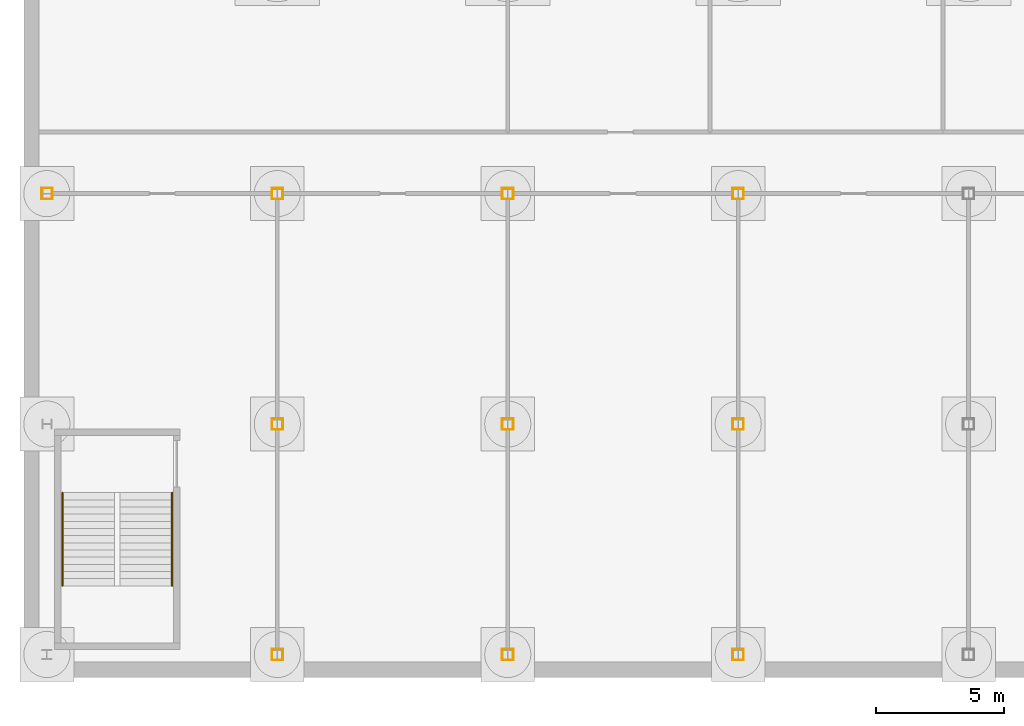
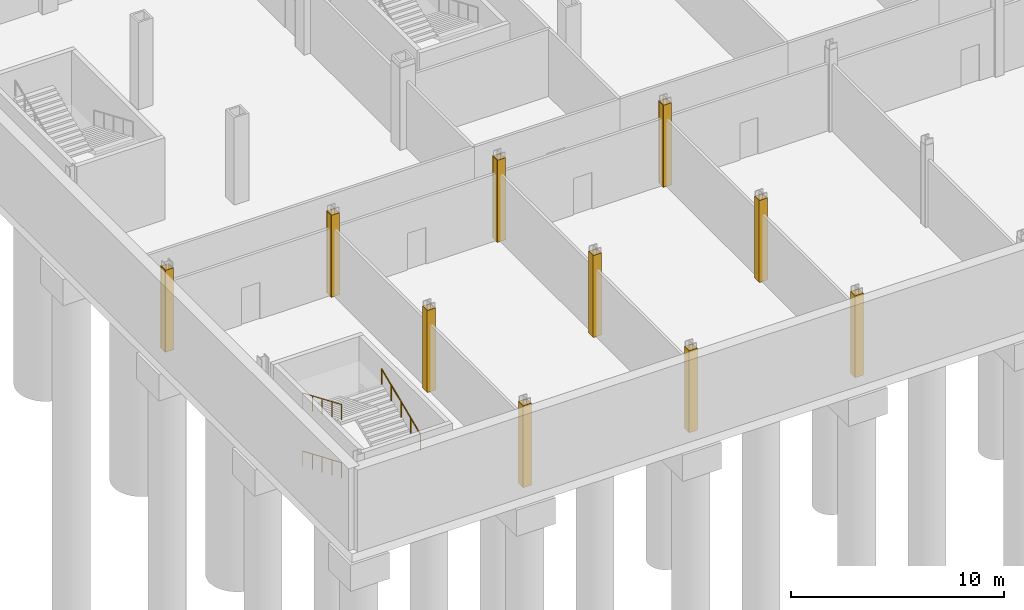
# One storey, part 16 of 28: 40 coverings, 3 railings.
"""IFC4 building model written with IfcOpenShell, lengths in metres."""

from ifc_helpers import new_model, si_unit, direction, frame, origin, origin_2d, place, context, subcontext, project, spatial, rectangle, circle, extrude, material, layer, layer_set, type_object, element, save


model = new_model("IFC4")

# Units and contexts
model_context = context("Model", 3, precision=1e-05, world=origin(), true_north=direction((0.0, 1.0)))
body_context = subcontext(model_context, "Body", "Model", "MODEL_VIEW")
ifc_project = project(units=[si_unit("LENGTHUNIT", "METRE"), si_unit("AREAUNIT", "SQUARE_METRE"), si_unit("VOLUMEUNIT", "CUBIC_METRE"), si_unit("PLANEANGLEUNIT", "RADIAN"), si_unit("MASSUNIT", "GRAM", prefix="KILO")], contexts=[model_context])

# Site, building, storey
site_placement = place(None, origin())
site = spatial("IfcSite", under=ifc_project, at=site_placement, CompositionType="ELEMENT")
building_placement = place(site_placement, origin())
building = spatial("IfcBuilding", under=site, at=building_placement, Name="Loomwork Tower", CompositionType="ELEMENT")
storey_placement = place(building_placement, frame((0.0, 0.0, -10.5)))
storey = spatial("IfcBuildingStorey", under=building, at=storey_placement, Name="B2", CompositionType="ELEMENT", Elevation=-10.5)

# Coverings
ifc_material_1 = material(Name="Two-hour fire-rated gypsum board casing")
ifc_layer = layer(ifc_material_1, 0.02490234375)
ifc_layer_set = layer_set([ifc_layer], Name="Column fire casing 25")
covering_type = type_object("IfcCoveringType", Name="Column fire casing 25", PredefinedType="CLADDING", material=ifc_layer_set)
for number, where, z_axis, x_axis, name in (
    (1, (-9.0, -8.786865234375, 0.0), (0.0, 0.0, 1.0), (1.0, 0.0, 0.0), "Column casing -9 -9 B2"),
    (2, (-9.0, -9.213134765625, 0.0), (0.0, 0.0, 1.0), (1.0, 0.0, 0.0), "Column casing -9 -9 B2"),
):
    element("IfcCovering", number, at=place(storey_placement, frame(where, z_axis=z_axis, x_axis=x_axis)), inside=storey, type_object=covering_type, Name=name, PredefinedType="CLADDING", context=body_context, shape_type="SweptSolid", body=[
        extrude(rectangle(XDim=0.44873046875, YDim=0.02490234375, at=origin_2d()), origin(), (0.0, 0.0, 1.0), 4.699951171875),
    ])
for number, where, z_axis, x_axis, name in (
    (3, (-8.7880859375, -9.0, 0.0), (0.0, 0.0, 1.0), (1.0, 0.0, 0.0), "Column casing -9 -9 B2"),
    (4, (-9.2119140625, -9.0, 0.0), (0.0, 0.0, 1.0), (1.0, 0.0, 0.0), "Column casing -9 -9 B2"),
):
    element("IfcCovering", number, at=place(storey_placement, frame(where, z_axis=z_axis, x_axis=x_axis)), inside=storey, type_object=covering_type, Name=name, PredefinedType="CLADDING", context=body_context, shape_type="SweptSolid", body=[
        extrude(rectangle(XDim=0.02490234375, YDim=0.4013671875, at=origin_2d()), origin(), (0.0, 0.0, 1.0), 4.699951171875),
    ])
for number, where, z_axis, x_axis, name in (
    (5, (0.0, -26.7880859375, 0.0), (0.0, 0.0, 1.0), (1.0, 0.0, 0.0), "Column casing 0 -27 B2"),
    (6, (0.0, -27.2119140625, 0.0), (0.0, 0.0, 1.0), (1.0, 0.0, 0.0), "Column casing 0 -27 B2"),
):
    element("IfcCovering", number, at=place(storey_placement, frame(where, z_axis=z_axis, x_axis=x_axis)), inside=storey, type_object=covering_type, Name=name, PredefinedType="CLADDING", context=body_context, shape_type="SweptSolid", body=[
        extrude(rectangle(XDim=0.451416015625, YDim=0.02490234375, at=origin_2d()), origin(), (0.0, 0.0, 1.0), 4.699951171875),
    ])
for number, where, z_axis, x_axis, name in (
    (7, (0.213134765625, -27.0, 0.0), (0.0, 0.0, 1.0), (1.0, 0.0, 0.0), "Column casing 0 -27 B2"),
    (8, (-0.213134765625, -27.0, 0.0), (0.0, 0.0, 1.0), (1.0, 0.0, 0.0), "Column casing 0 -27 B2"),
):
    element("IfcCovering", number, at=place(storey_placement, frame(where, z_axis=z_axis, x_axis=x_axis)), inside=storey, type_object=covering_type, Name=name, PredefinedType="CLADDING", context=body_context, shape_type="SweptSolid", body=[
        extrude(rectangle(XDim=0.02490234375, YDim=0.398681640625, at=origin_2d()), origin(), (0.0, 0.0, 1.0), 4.699951171875),
    ])
for number, where, z_axis, x_axis, name in (
    (9, (0.0, -17.7880859375, 0.0), (0.0, 0.0, 1.0), (1.0, 0.0, 0.0), "Column casing 0 -18 B2"),
    (10, (0.0, -18.2119140625, 0.0), (0.0, 0.0, 1.0), (1.0, 0.0, 0.0), "Column casing 0 -18 B2"),
):
    element("IfcCovering", number, at=place(storey_placement, frame(where, z_axis=z_axis, x_axis=x_axis)), inside=storey, type_object=covering_type, Name=name, PredefinedType="CLADDING", context=body_context, shape_type="SweptSolid", body=[
        extrude(rectangle(XDim=0.451416015625, YDim=0.02490234375, at=origin_2d()), origin(), (0.0, 0.0, 1.0), 4.699951171875),
    ])
for number, where, z_axis, x_axis, name in (
    (11, (0.213134765625, -18.0, 0.0), (0.0, 0.0, 1.0), (1.0, 0.0, 0.0), "Column casing 0 -18 B2"),
    (12, (-0.213134765625, -18.0, 0.0), (0.0, 0.0, 1.0), (1.0, 0.0, 0.0), "Column casing 0 -18 B2"),
):
    element("IfcCovering", number, at=place(storey_placement, frame(where, z_axis=z_axis, x_axis=x_axis)), inside=storey, type_object=covering_type, Name=name, PredefinedType="CLADDING", context=body_context, shape_type="SweptSolid", body=[
        extrude(rectangle(XDim=0.02490234375, YDim=0.398681640625, at=origin_2d()), origin(), (0.0, 0.0, 1.0), 4.699951171875),
    ])
for number, where, z_axis, x_axis, name in (
    (13, (0.0, -8.7880859375, 0.0), (0.0, 0.0, 1.0), (1.0, 0.0, 0.0), "Column casing 0 -9 B2"),
    (14, (0.0, -9.2119140625, 0.0), (0.0, 0.0, 1.0), (1.0, 0.0, 0.0), "Column casing 0 -9 B2"),
):
    element("IfcCovering", number, at=place(storey_placement, frame(where, z_axis=z_axis, x_axis=x_axis)), inside=storey, type_object=covering_type, Name=name, PredefinedType="CLADDING", context=body_context, shape_type="SweptSolid", body=[
        extrude(rectangle(XDim=0.451416015625, YDim=0.02490234375, at=origin_2d()), origin(), (0.0, 0.0, 1.0), 4.699951171875),
    ])
for number, where, z_axis, x_axis, name in (
    (15, (0.213134765625, -9.0, 0.0), (0.0, 0.0, 1.0), (1.0, 0.0, 0.0), "Column casing 0 -9 B2"),
    (16, (-0.213134765625, -9.0, 0.0), (0.0, 0.0, 1.0), (1.0, 0.0, 0.0), "Column casing 0 -9 B2"),
):
    element("IfcCovering", number, at=place(storey_placement, frame(where, z_axis=z_axis, x_axis=x_axis)), inside=storey, type_object=covering_type, Name=name, PredefinedType="CLADDING", context=body_context, shape_type="SweptSolid", body=[
        extrude(rectangle(XDim=0.02490234375, YDim=0.398681640625, at=origin_2d()), origin(), (0.0, 0.0, 1.0), 4.699951171875),
    ])
for number, where, z_axis, x_axis, name in (
    (17, (9.0, -26.7880859375, 0.0), (0.0, 0.0, 1.0), (1.0, 0.0, 0.0), "Column casing 9 -27 B2"),
    (18, (9.0, -27.2119140625, 0.0), (0.0, 0.0, 1.0), (1.0, 0.0, 0.0), "Column casing 9 -27 B2"),
):
    element("IfcCovering", number, at=place(storey_placement, frame(where, z_axis=z_axis, x_axis=x_axis)), inside=storey, type_object=covering_type, Name=name, PredefinedType="CLADDING", context=body_context, shape_type="SweptSolid", body=[
        extrude(rectangle(XDim=0.451416015625, YDim=0.02490234375, at=origin_2d()), origin(), (0.0, 0.0, 1.0), 4.699951171875),
    ])
for number, where, z_axis, x_axis, name in (
    (19, (9.213134765625, -27.0, 0.0), (0.0, 0.0, 1.0), (1.0, 0.0, 0.0), "Column casing 9 -27 B2"),
    (20, (8.786865234375, -27.0, 0.0), (0.0, 0.0, 1.0), (1.0, 0.0, 0.0), "Column casing 9 -27 B2"),
):
    element("IfcCovering", number, at=place(storey_placement, frame(where, z_axis=z_axis, x_axis=x_axis)), inside=storey, type_object=covering_type, Name=name, PredefinedType="CLADDING", context=body_context, shape_type="SweptSolid", body=[
        extrude(rectangle(XDim=0.02490234375, YDim=0.398681640625, at=origin_2d()), origin(), (0.0, 0.0, 1.0), 4.699951171875),
    ])
for number, where, z_axis, x_axis, name in (
    (21, (9.0, -17.7880859375, 0.0), (0.0, 0.0, 1.0), (1.0, 0.0, 0.0), "Column casing 9 -18 B2"),
    (22, (9.0, -18.2119140625, 0.0), (0.0, 0.0, 1.0), (1.0, 0.0, 0.0), "Column casing 9 -18 B2"),
):
    element("IfcCovering", number, at=place(storey_placement, frame(where, z_axis=z_axis, x_axis=x_axis)), inside=storey, type_object=covering_type, Name=name, PredefinedType="CLADDING", context=body_context, shape_type="SweptSolid", body=[
        extrude(rectangle(XDim=0.451416015625, YDim=0.02490234375, at=origin_2d()), origin(), (0.0, 0.0, 1.0), 4.699951171875),
    ])
for number, where, z_axis, x_axis, name in (
    (23, (9.213134765625, -18.0, 0.0), (0.0, 0.0, 1.0), (1.0, 0.0, 0.0), "Column casing 9 -18 B2"),
    (24, (8.786865234375, -18.0, 0.0), (0.0, 0.0, 1.0), (1.0, 0.0, 0.0), "Column casing 9 -18 B2"),
):
    element("IfcCovering", number, at=place(storey_placement, frame(where, z_axis=z_axis, x_axis=x_axis)), inside=storey, type_object=covering_type, Name=name, PredefinedType="CLADDING", context=body_context, shape_type="SweptSolid", body=[
        extrude(rectangle(XDim=0.02490234375, YDim=0.398681640625, at=origin_2d()), origin(), (0.0, 0.0, 1.0), 4.699951171875),
    ])
for number, where, z_axis, x_axis, name in (
    (25, (9.0, -8.7880859375, 0.0), (0.0, 0.0, 1.0), (1.0, 0.0, 0.0), "Column casing 9 -9 B2"),
    (26, (9.0, -9.2119140625, 0.0), (0.0, 0.0, 1.0), (1.0, 0.0, 0.0), "Column casing 9 -9 B2"),
):
    element("IfcCovering", number, at=place(storey_placement, frame(where, z_axis=z_axis, x_axis=x_axis)), inside=storey, type_object=covering_type, Name=name, PredefinedType="CLADDING", context=body_context, shape_type="SweptSolid", body=[
        extrude(rectangle(XDim=0.451416015625, YDim=0.02490234375, at=origin_2d()), origin(), (0.0, 0.0, 1.0), 4.699951171875),
    ])
for number, where, z_axis, x_axis, name in (
    (27, (9.213134765625, -9.0, 0.0), (0.0, 0.0, 1.0), (1.0, 0.0, 0.0), "Column casing 9 -9 B2"),
    (28, (8.786865234375, -9.0, 0.0), (0.0, 0.0, 1.0), (1.0, 0.0, 0.0), "Column casing 9 -9 B2"),
):
    element("IfcCovering", number, at=place(storey_placement, frame(where, z_axis=z_axis, x_axis=x_axis)), inside=storey, type_object=covering_type, Name=name, PredefinedType="CLADDING", context=body_context, shape_type="SweptSolid", body=[
        extrude(rectangle(XDim=0.02490234375, YDim=0.398681640625, at=origin_2d()), origin(), (0.0, 0.0, 1.0), 4.699951171875),
    ])
for number, where, z_axis, x_axis, name in (
    (29, (18.0, -26.7880859375, 0.0), (0.0, 0.0, 1.0), (1.0, 0.0, 0.0), "Column casing 18 -27 B2"),
    (30, (18.0, -27.2119140625, 0.0), (0.0, 0.0, 1.0), (1.0, 0.0, 0.0), "Column casing 18 -27 B2"),
):
    element("IfcCovering", number, at=place(storey_placement, frame(where, z_axis=z_axis, x_axis=x_axis)), inside=storey, type_object=covering_type, Name=name, PredefinedType="CLADDING", context=body_context, shape_type="SweptSolid", body=[
        extrude(rectangle(XDim=0.451416015625, YDim=0.02490234375, at=origin_2d()), origin(), (0.0, 0.0, 1.0), 4.699951171875),
    ])
for number, where, z_axis, x_axis, name in (
    (31, (18.213134765625, -27.0, 0.0), (0.0, 0.0, 1.0), (1.0, 0.0, 0.0), "Column casing 18 -27 B2"),
    (32, (17.786865234375, -27.0, 0.0), (0.0, 0.0, 1.0), (1.0, 0.0, 0.0), "Column casing 18 -27 B2"),
):
    element("IfcCovering", number, at=place(storey_placement, frame(where, z_axis=z_axis, x_axis=x_axis)), inside=storey, type_object=covering_type, Name=name, PredefinedType="CLADDING", context=body_context, shape_type="SweptSolid", body=[
        extrude(rectangle(XDim=0.02490234375, YDim=0.398681640625, at=origin_2d()), origin(), (0.0, 0.0, 1.0), 4.699951171875),
    ])
for number, where, z_axis, x_axis, name in (
    (33, (18.0, -17.7880859375, 0.0), (0.0, 0.0, 1.0), (1.0, 0.0, 0.0), "Column casing 18 -18 B2"),
    (34, (18.0, -18.2119140625, 0.0), (0.0, 0.0, 1.0), (1.0, 0.0, 0.0), "Column casing 18 -18 B2"),
):
    element("IfcCovering", number, at=place(storey_placement, frame(where, z_axis=z_axis, x_axis=x_axis)), inside=storey, type_object=covering_type, Name=name, PredefinedType="CLADDING", context=body_context, shape_type="SweptSolid", body=[
        extrude(rectangle(XDim=0.451416015625, YDim=0.02490234375, at=origin_2d()), origin(), (0.0, 0.0, 1.0), 4.699951171875),
    ])
for number, where, z_axis, x_axis, name in (
    (35, (18.213134765625, -18.0, 0.0), (0.0, 0.0, 1.0), (1.0, 0.0, 0.0), "Column casing 18 -18 B2"),
    (36, (17.786865234375, -18.0, 0.0), (0.0, 0.0, 1.0), (1.0, 0.0, 0.0), "Column casing 18 -18 B2"),
):
    element("IfcCovering", number, at=place(storey_placement, frame(where, z_axis=z_axis, x_axis=x_axis)), inside=storey, type_object=covering_type, Name=name, PredefinedType="CLADDING", context=body_context, shape_type="SweptSolid", body=[
        extrude(rectangle(XDim=0.02490234375, YDim=0.398681640625, at=origin_2d()), origin(), (0.0, 0.0, 1.0), 4.699951171875),
    ])
for number, where, z_axis, x_axis, name in (
    (37, (18.0, -8.7880859375, 0.0), (0.0, 0.0, 1.0), (1.0, 0.0, 0.0), "Column casing 18 -9 B2"),
    (38, (18.0, -9.2119140625, 0.0), (0.0, 0.0, 1.0), (1.0, 0.0, 0.0), "Column casing 18 -9 B2"),
):
    element("IfcCovering", number, at=place(storey_placement, frame(where, z_axis=z_axis, x_axis=x_axis)), inside=storey, type_object=covering_type, Name=name, PredefinedType="CLADDING", context=body_context, shape_type="SweptSolid", body=[
        extrude(rectangle(XDim=0.451416015625, YDim=0.02490234375, at=origin_2d()), origin(), (0.0, 0.0, 1.0), 4.699951171875),
    ])
for number, where, z_axis, x_axis, name in (
    (39, (18.213134765625, -9.0, 0.0), (0.0, 0.0, 1.0), (1.0, 0.0, 0.0), "Column casing 18 -9 B2"),
    (40, (17.786865234375, -9.0, 0.0), (0.0, 0.0, 1.0), (1.0, 0.0, 0.0), "Column casing 18 -9 B2"),
):
    element("IfcCovering", number, at=place(storey_placement, frame(where, z_axis=z_axis, x_axis=x_axis)), inside=storey, type_object=covering_type, Name=name, PredefinedType="CLADDING", context=body_context, shape_type="SweptSolid", body=[
        extrude(rectangle(XDim=0.02490234375, YDim=0.398681640625, at=origin_2d()), origin(), (0.0, 0.0, 1.0), 4.699951171875),
    ])

# Railings
ifc_material_2 = material(Name="Stainless steel handrail", Category="steel")
railing_type = type_object("IfcRailingType", Name="Handrail 900", PredefinedType="HANDRAIL", material=ifc_material_2)
railing_1_placement = place(storey_placement, frame((-8.389892578125, -20.679931640625, 0.118896484375)))
element("IfcRailing", 41, at=railing_1_placement, inside=storey, type_object=railing_type, Name="Podium stair PS1 handrail flight 1 B2", PredefinedType="HANDRAIL", context=body_context, shape_type="SweptSolid", body=[
    extrude(circle(Radius=0.02392578125, at=origin_2d()), frame((0.0, 0.0, 0.8759765625), z_axis=(0.0, -0.920258693564, 0.391310537706), x_axis=(1.0, 0.0, 0.0)), (0.0, 0.0, 1.0), 3.95556640625),
    extrude(circle(Radius=0.02099609375, at=origin_2d()), origin(), (0.0, 0.0, 1.0), 0.851806640625),
    extrude(circle(Radius=0.02099609375, at=origin_2d()), frame((0.0, -0.91015625, 0.386962890625)), (0.0, 0.0, 1.0), 0.851806640625),
    extrude(circle(Radius=0.02099609375, at=origin_2d()), frame((0.0, -1.820068359375, 0.77392578125)), (0.0, 0.0, 1.0), 0.851806640625),
    extrude(circle(Radius=0.02099609375, at=origin_2d()), frame((0.0, -2.72998046875, 1.160888671875)), (0.0, 0.0, 1.0), 0.851806640625),
    extrude(circle(Radius=0.02099609375, at=origin_2d()), frame((0.0, -3.64013671875, 1.5478515625)), (0.0, 0.0, 1.0), 0.851806640625),
])
railing_2_placement = place(storey_placement, frame((-4.110107421875, -24.320068359375, 1.78564453125)))
element("IfcRailing", 42, at=railing_2_placement, inside=storey, type_object=railing_type, Name="Podium stair PS1 handrail flight 2 B2", PredefinedType="HANDRAIL", context=body_context, shape_type="SweptSolid", body=[
    extrude(circle(Radius=0.02392578125, at=origin_2d()), frame((0.0, 0.0, 0.8759765625), z_axis=(0.0, 0.920258693564, 0.391310537706), x_axis=(-1.0, 0.0, 0.0)), (0.0, 0.0, 1.0), 3.95556640625),
    extrude(circle(Radius=0.02099609375, at=origin_2d()), origin(), (0.0, 0.0, 1.0), 0.851806640625),
    extrude(circle(Radius=0.02099609375, at=origin_2d()), frame((0.0, 0.91015625, 0.386962890625)), (0.0, 0.0, 1.0), 0.851806640625),
    extrude(circle(Radius=0.02099609375, at=origin_2d()), frame((0.0, 1.820068359375, 0.77392578125)), (0.0, 0.0, 1.0), 0.851806640625),
    extrude(circle(Radius=0.02099609375, at=origin_2d()), frame((0.0, 2.72998046875, 1.160888671875)), (0.0, 0.0, 1.0), 0.851806640625),
    extrude(circle(Radius=0.02099609375, at=origin_2d()), frame((0.0, 3.64013671875, 1.5478515625)), (0.0, 0.0, 1.0), 0.851806640625),
])
railing_3_placement = place(storey_placement, frame((-8.389892578125, -20.679931640625, 3.452392578125)))
element("IfcRailing", 43, at=railing_3_placement, inside=storey, type_object=railing_type, Name="Podium stair PS1 handrail flight 3 B2", PredefinedType="HANDRAIL", context=body_context, shape_type="SweptSolid", body=[
    extrude(circle(Radius=0.02392578125, at=origin_2d()), frame((0.0, 0.0, 0.8759765625), z_axis=(0.0, -0.920280918742, 0.391258265855), x_axis=(1.0, 0.0, 0.0)), (0.0, 0.0, 1.0), 3.95556640625),
    extrude(circle(Radius=0.02099609375, at=origin_2d()), origin(), (0.0, 0.0, 1.0), 0.851806640625),
    extrude(circle(Radius=0.02099609375, at=origin_2d()), frame((0.0, -0.91015625, 0.386962890625)), (0.0, 0.0, 1.0), 0.851806640625),
    extrude(circle(Radius=0.02099609375, at=origin_2d()), frame((0.0, -1.820068359375, 0.77392578125)), (0.0, 0.0, 1.0), 0.851806640625),
    extrude(circle(Radius=0.02099609375, at=origin_2d()), frame((0.0, -2.72998046875, 1.16064453125)), (0.0, 0.0, 1.0), 0.851806640625),
    extrude(circle(Radius=0.02099609375, at=origin_2d()), frame((0.0, -3.64013671875, 1.547607421875)), (0.0, 0.0, 1.0), 0.851806640625),
])

save(model, "model.ifc")
